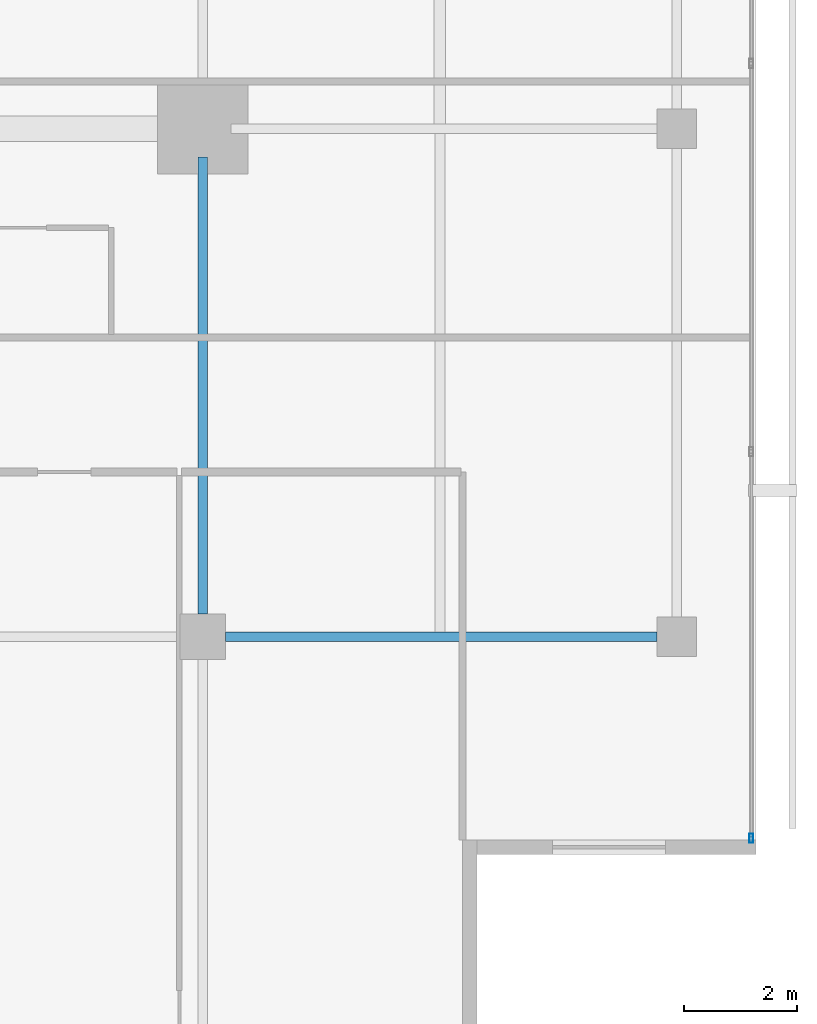
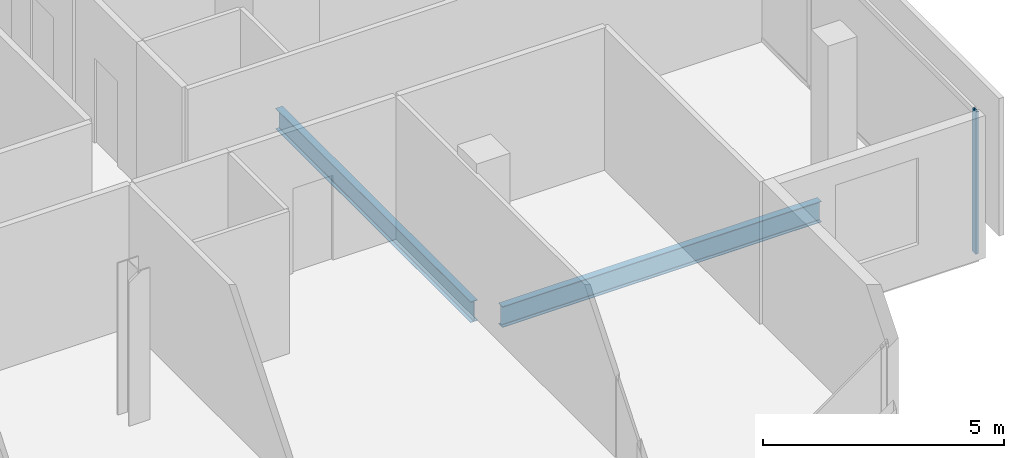
# One storey, part 11 of 25: 2 beams, 1 member, 1 element without a shape of its own.
"""IFC4 building model written with IfcOpenShell, lengths in metres."""

from ifc_helpers import new_model, si_unit, direction, frame, origin, origin_2d, place, context, subcontext, project, spatial, hollow_rectangle, i_section, extrude, material, layer, layer_set, material_profile, profile_set, type_object, element, aggregate, save


model = new_model("IFC4")

# Units and contexts
model_context = context("Model", 3, precision=1e-05, world=origin(), true_north=direction((0.0, 1.0)))
body_context = subcontext(model_context, "Body", "Model", "MODEL_VIEW")
ifc_project = project(units=[si_unit("LENGTHUNIT", "METRE"), si_unit("AREAUNIT", "SQUARE_METRE"), si_unit("VOLUMEUNIT", "CUBIC_METRE"), si_unit("PLANEANGLEUNIT", "RADIAN"), si_unit("MASSUNIT", "GRAM", prefix="KILO")], contexts=[model_context])

# Site, building, storey
site_placement = place(None, origin())
site = spatial("IfcSite", under=ifc_project, at=site_placement, CompositionType="ELEMENT")
building_placement = place(site_placement, origin())
building = spatial("IfcBuilding", under=site, at=building_placement, Name="Maruvema Waterfront Hotel and Observation Tower", CompositionType="ELEMENT")
storey_placement = place(building_placement, frame((0.0, 0.0, 297.14990234375)))
storey = spatial("IfcBuildingStorey", under=building, at=storey_placement, Name="L73", CompositionType="ELEMENT", Elevation=297.14990234375)

# Curtain wall, member
ifc_material_1 = material(Name="Anodised bronze aluminium and solar-control low-E IGU", Category="aluminium")
ifc_layer = layer(ifc_material_1, 0.159912109375, Name="Zone 3 Champagne Inner Thermal Curtain Wall System CW-04")
ifc_layer_set = layer_set([ifc_layer], Name="Anodised bronze aluminium and solar-control low-E IGU")
curtain_wall_type = type_object("IfcCurtainWallType", Name="Zone 3 Champagne Inner Thermal Curtain Wall System CW-04", PredefinedType="USERDEFINED", material=ifc_layer_set)
curtain_wall_placement = place(storey_placement, origin())
curtain_wall = element("IfcCurtainWall", 1, at=curtain_wall_placement, inside=storey, type_object=curtain_wall_type, Name="L73 Curtain Wall CW-L73-E", ObjectType="UNITISED CURTAIN WALL", PredefinedType="USERDEFINED")
ifc_material_2 = material(Name="Anodised architectural bronze aluminium", Category="aluminium")
ifc_material_profile_1 = material_profile(ifc_material_2, hollow_rectangle(XDim=0.06494140625, YDim=0.1650390625, WallThickness=0.00390625, at=origin_2d()), Name="ALU-M65x165")
ifc_profile_set_1 = profile_set([ifc_material_profile_1], Name="Anodised architectural bronze aluminium")
member_type = type_object("IfcMemberType", Name="Curtain Wall Primary Mullion ALU-M65x165", PredefinedType="MULLION", material=ifc_profile_set_1)
member_placement = place(storey_placement, frame((60.1201171875, 14.429931640625, 0.0), z_axis=(0.0, 0.0, 1.0), x_axis=(-1.0, 0.0, 0.0)))
member = element("IfcMember", 2, at=member_placement, type_object=member_type, Name="CW-04 mullion 1", PredefinedType="MULLION", context=body_context, shape_type="SweptSolid", body=[
    extrude(hollow_rectangle(XDim=0.06494140625, YDim=0.1650390625, WallThickness=0.00390625, at=origin_2d()), origin(), (0.0, 0.0, 1.0), 3.610107421875),
])
aggregate(curtain_wall, [member])

# Beams
ifc_material_3 = material(Name="Steel ASTM A572 Grade 50", Category="steel")
ifc_material_profile_2 = material_profile(ifc_material_3, i_section(OverallWidth=0.166015625, OverallDepth=0.529052734375, WebThickness=0.009765625, FlangeThickness=0.013671875, FilletRadius=0.014892578125, at=origin_2d()), Name="W530x74.0")
ifc_profile_set_2 = profile_set([ifc_material_profile_2], Name="Steel ASTM A572 Grade 50")
beam_type = type_object("IfcBeamType", Name="Primary Floor Girder W530x74.0", PredefinedType="BEAM", material=ifc_profile_set_2)
beam_1_placement = place(storey_placement, frame((50.800048828125, 18.0, -0.50439453125), z_axis=(1.0, 0.0, 0.0), x_axis=(0.0, 1.0, 0.0)))
element("IfcBeam", 3, at=beam_1_placement, inside=storey, type_object=beam_type, Name="L73 Floor Girder EW-08", PredefinedType="BEAM", context=body_context, shape_type="SweptSolid", body=[
    extrude(i_section(OverallWidth=0.166015625, OverallDepth=0.529052734375, WebThickness=0.009765625, FlangeThickness=0.013671875, FilletRadius=0.014892578125, at=origin_2d()), origin(), (0.0, 0.0, 1.0), 7.64990234375),
])
beam_2_placement = place(storey_placement, frame((50.39990234375, 18.39990234375, -0.50439453125), z_axis=(0.0, 1.0, 0.0), x_axis=(-1.0, 0.0, 0.0)))
element("IfcBeam", 4, at=beam_2_placement, inside=storey, type_object=beam_type, Name="L73 Floor Girder NS-13", PredefinedType="BEAM", context=body_context, shape_type="SweptSolid", body=[
    extrude(i_section(OverallWidth=0.166015625, OverallDepth=0.529052734375, WebThickness=0.009765625, FlangeThickness=0.013671875, FilletRadius=0.014892578125, at=origin_2d()), origin(), (0.0, 0.0, 1.0), 8.10009765625),
])

save(model, "model.ifc")
